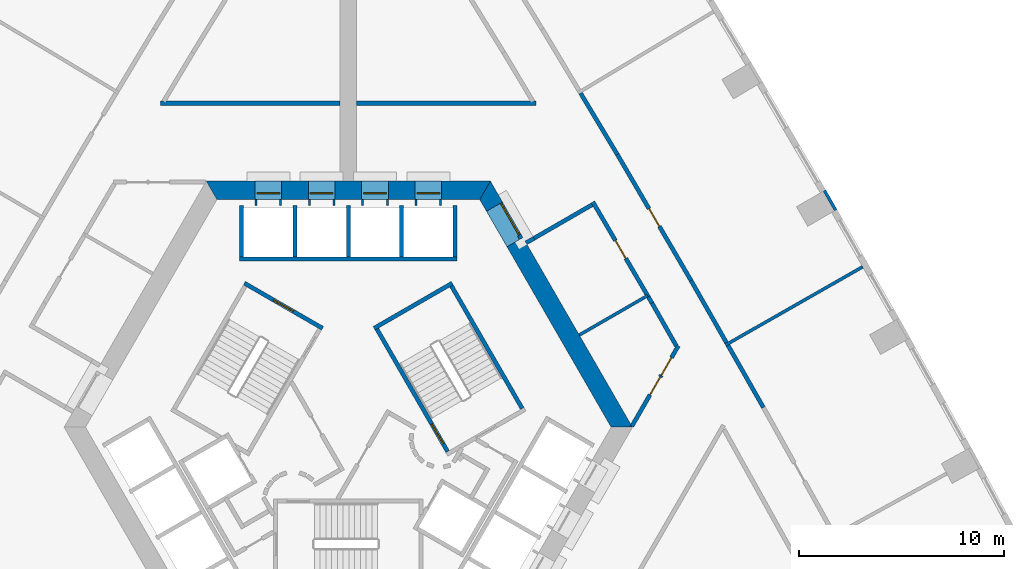
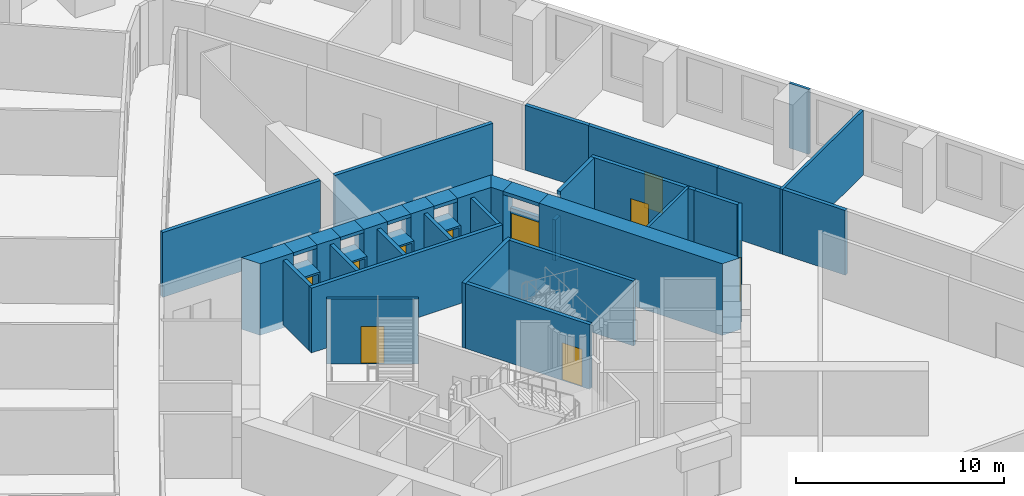
# One storey, part 9 of 14: 42 walls, 11 doors, 11 openings.
"""IFC4 building model written with IfcOpenShell, lengths in metres."""

from ifc_helpers import new_model, si_unit, direction, frame, frame_2d, origin, place, context, subcontext, project, spatial, polyline, rectangle, outline, extrude, material, layer, layer_set, type_object, element, fill, save


model = new_model("IFC4")

# Units and contexts
model_context = context("Model", 3, precision=1e-05, world=origin(), true_north=direction((0.0, 1.0)))
body_context = subcontext(model_context, "Body", "Model", "MODEL_VIEW")
ifc_project = project(units=[si_unit("LENGTHUNIT", "METRE"), si_unit("AREAUNIT", "SQUARE_METRE"), si_unit("VOLUMEUNIT", "CUBIC_METRE"), si_unit("PLANEANGLEUNIT", "RADIAN"), si_unit("MASSUNIT", "GRAM", prefix="KILO")], contexts=[model_context])

# Site, building, storey
site_placement = place(None, origin())
site = spatial("IfcSite", under=ifc_project, at=site_placement, CompositionType="ELEMENT")
building_placement = place(site_placement, origin())
building = spatial("IfcBuilding", under=site, at=building_placement, Name="Entoto Arch Interchange Tower", CompositionType="ELEMENT")
storey_placement = place(building_placement, frame((0.0, 0.0, 116.0)))
storey = spatial("IfcBuildingStorey", under=building, at=storey_placement, Name="L25", CompositionType="ELEMENT", Elevation=116.0)

# Wall, opening, door
ifc_material_1 = material(Name="Reinforced concrete C40/50", Category="concrete")
ifc_layer_1 = layer(ifc_material_1, 0.199951171875)
ifc_layer_set_1 = layer_set([ifc_layer_1], Name="Reinforced concrete C40/50")
wall_type_1 = type_object("IfcWallType", Name="CORE GAP INFILL WALL", PredefinedType="PARTITIONING", material=ifc_layer_set_1)
wall_1_placement = place(storey_placement, frame((8.429931640625, 11.697998046875, 0.0), z_axis=(0.0, 0.0, 1.0), x_axis=(-0.50002537861, 0.866010750942, 0.0)))
wall_1 = element("IfcWall", 1, at=wall_1_placement, inside=storey, type_object=wall_type_1, Name="wall:L25:gap2", PredefinedType="PARTITIONING", context=body_context, shape_type="SweptSolid", body=[
    extrude(rectangle(XDim=2.0, YDim=0.199951171875, at=frame_2d((1.0, 0.0))), origin(), (0.0, 0.0, 1.0), 2.39990234375),
])
opening_1_placement = place(wall_1_placement, frame((0.18994140625, 0.0, 0.0)))
opening_1 = element("IfcOpeningElement", 2, at=opening_1_placement, cuts=wall_1, Name="Opening L25-D92", PredefinedType="OPENING", context=body_context, shape_type="SweptSolid", body=[
    extrude(rectangle(XDim=1.800048828125, YDim=2.10009765625, at=frame_2d((0.89990234375, 1.050048828125))), frame((0.0, 0.10986328125, 0.0), z_axis=(0.0, -1.0, 0.0), x_axis=(1.0, 0.0, 0.0)), (0.0, 0.0, 1.0), 0.219970703125),
])
ifc_material_2 = material(Name="Fire-rated Steel S235 door and frame", Category="steel")
door_type_1 = type_object("IfcDoorType", Name="DOOR FD-18 1800x2100", OperationType="DOUBLE_DOOR_SINGLE_SWING", PredefinedType="DOOR", material=ifc_material_2)
door_1_placement = place(opening_1_placement, origin())
door_1 = element("IfcDoor", 3, at=door_1_placement, inside=storey, type_object=door_type_1, Name="door:L25:gap2", OperationType="DOUBLE_DOOR_SINGLE_SWING", OverallHeight=2.10009765625, OverallWidth=1.800048828125, PredefinedType="DOOR", context=body_context, shape_type="SweptSolid", body=[
    extrude(rectangle(XDim=1.800048828125, YDim=2.10009765625, at=frame_2d((0.89990234375, 1.050048828125))), frame((0.0, 0.02490234375, 0.0), z_axis=(0.0, -1.0, 0.0), x_axis=(1.0, 0.0, 0.0)), (0.0, 0.0, 1.0), 0.050048828125),
])
fill(opening_1, door_1)

# Walls
ifc_material_3 = material(Name="Concrete C60/75", Category="concrete")
ifc_layer_2 = layer(ifc_material_3, 0.89990234375)
ifc_layer_set_2 = layer_set([ifc_layer_2], Name="Concrete C60/75")
wall_type_2 = type_object("IfcWallType", Name="Core wall 900 C60/75", PredefinedType="SHEAR", material=ifc_layer_set_2)
wall_2_placement = place(storey_placement, frame((0.0, 0.0, -0.39990234375)))
element("IfcWall", 4, at=wall_2_placement, inside=storey, type_object=wall_type_2, Name="Core wall NE L25", PredefinedType="SHEAR", context=body_context, shape_type="SweptSolid", body=[
    extrude(outline(polyline([(8.51708984375, 11.748046875), (7.738037109375, 11.298095703125), (12.81689453125, 2.5), (13.85595703125, 2.5), (8.51708984375, 11.748046875)])), origin(), (0.0, 0.0, 1.0), 4.199951171875),
])
wall_3_placement = place(storey_placement, frame((0.0, 0.0, -0.39990234375)))
element("IfcWall", 5, at=wall_3_placement, inside=storey, type_object=wall_type_2, Name="Core wall NE L25", PredefinedType="SHEAR", context=body_context, shape_type="SweptSolid", body=[
    extrude(outline(polyline([(6.738037109375, 13.030029296875), (7.51708984375, 13.47998046875), (6.927978515625, 14.5), (6.408935546875, 13.60009765625), (6.738037109375, 13.030029296875)])), origin(), (0.0, 0.0, 1.0), 4.199951171875),
])
wall_4_placement = place(storey_placement, frame((0.0, 0.0, 3.60009765625)))
element("IfcWall", 6, at=wall_4_placement, inside=storey, type_object=wall_type_2, Name="Core wall lintel NE L25", PredefinedType="SHEAR", context=body_context, shape_type="SweptSolid", body=[
    extrude(outline(polyline([(7.51708984375, 13.47998046875), (6.738037109375, 13.030029296875), (7.738037109375, 11.298095703125), (8.51708984375, 11.748046875), (7.51708984375, 13.47998046875)])), origin(), (0.0, 0.0, 1.0), 0.199951171875),
])
wall_5_placement = place(storey_placement, frame((0.0, 0.0, -0.39990234375)))
element("IfcWall", 7, at=wall_5_placement, inside=storey, type_object=wall_type_2, Name="Core wall N L25", PredefinedType="SHEAR", context=body_context, shape_type="SweptSolid", body=[
    extrude(outline(polyline([(4.550048828125, 14.5), (4.550048828125, 13.60009765625), (6.408935546875, 13.60009765625), (6.927978515625, 14.5), (4.550048828125, 14.5)])), origin(), (0.0, 0.0, 1.0), 4.199951171875),
])
wall_6_placement = place(storey_placement, frame((0.0, 0.0, -0.39990234375)))
element("IfcWall", 8, at=wall_6_placement, inside=storey, type_object=wall_type_2, Name="Core wall N L25", PredefinedType="SHEAR", context=body_context, shape_type="SweptSolid", body=[
    extrude(outline(polyline([(1.949951171875, 14.5), (1.949951171875, 13.60009765625), (3.25, 13.60009765625), (3.25, 14.5), (1.949951171875, 14.5)])), origin(), (0.0, 0.0, 1.0), 4.199951171875),
])
wall_7_placement = place(storey_placement, frame((0.0, 0.0, -0.39990234375)))
element("IfcWall", 9, at=wall_7_placement, inside=storey, type_object=wall_type_2, Name="Core wall N L25", PredefinedType="SHEAR", context=body_context, shape_type="SweptSolid", body=[
    extrude(outline(polyline([(-0.64990234375, 14.5), (-0.64990234375, 13.60009765625), (0.64990234375, 13.60009765625), (0.64990234375, 14.5), (-0.64990234375, 14.5)])), origin(), (0.0, 0.0, 1.0), 4.199951171875),
])
wall_8_placement = place(storey_placement, frame((0.0, 0.0, -0.39990234375)))
element("IfcWall", 10, at=wall_8_placement, inside=storey, type_object=wall_type_2, Name="Core wall N L25", PredefinedType="SHEAR", context=body_context, shape_type="SweptSolid", body=[
    extrude(outline(polyline([(-3.25, 14.5), (-3.25, 13.60009765625), (-1.949951171875, 13.60009765625), (-1.949951171875, 14.5), (-3.25, 14.5)])), origin(), (0.0, 0.0, 1.0), 4.199951171875),
])
wall_9_placement = place(storey_placement, frame((0.0, 0.0, -0.39990234375)))
element("IfcWall", 11, at=wall_9_placement, inside=storey, type_object=wall_type_2, Name="Core wall N L25", PredefinedType="SHEAR", context=body_context, shape_type="SweptSolid", body=[
    extrude(outline(polyline([(-4.550048828125, 13.60009765625), (-4.550048828125, 14.5), (-6.927978515625, 14.5), (-6.408935546875, 13.60009765625), (-4.550048828125, 13.60009765625)])), origin(), (0.0, 0.0, 1.0), 4.199951171875),
])
wall_10_placement = place(storey_placement, frame((0.0, 0.0, 3.60009765625)))
element("IfcWall", 12, at=wall_10_placement, inside=storey, type_object=wall_type_2, Name="Core wall lintel N L25", PredefinedType="SHEAR", context=body_context, shape_type="SweptSolid", body=[
    extrude(outline(polyline([(3.25, 14.5), (3.25, 13.60009765625), (4.550048828125, 13.60009765625), (4.550048828125, 14.5), (3.25, 14.5)])), origin(), (0.0, 0.0, 1.0), 0.199951171875),
])
wall_11_placement = place(storey_placement, frame((0.0, 0.0, 3.60009765625)))
element("IfcWall", 13, at=wall_11_placement, inside=storey, type_object=wall_type_2, Name="Core wall lintel N L25", PredefinedType="SHEAR", context=body_context, shape_type="SweptSolid", body=[
    extrude(outline(polyline([(0.64990234375, 14.5), (0.64990234375, 13.60009765625), (1.949951171875, 13.60009765625), (1.949951171875, 14.5), (0.64990234375, 14.5)])), origin(), (0.0, 0.0, 1.0), 0.199951171875),
])
wall_12_placement = place(storey_placement, frame((0.0, 0.0, 3.60009765625)))
element("IfcWall", 14, at=wall_12_placement, inside=storey, type_object=wall_type_2, Name="Core wall lintel N L25", PredefinedType="SHEAR", context=body_context, shape_type="SweptSolid", body=[
    extrude(outline(polyline([(-1.949951171875, 14.5), (-1.949951171875, 13.60009765625), (-0.64990234375, 13.60009765625), (-0.64990234375, 14.5), (-1.949951171875, 14.5)])), origin(), (0.0, 0.0, 1.0), 0.199951171875),
])
wall_13_placement = place(storey_placement, frame((0.0, 0.0, 3.60009765625)))
element("IfcWall", 15, at=wall_13_placement, inside=storey, type_object=wall_type_2, Name="Core wall lintel N L25", PredefinedType="SHEAR", context=body_context, shape_type="SweptSolid", body=[
    extrude(outline(polyline([(-4.550048828125, 14.5), (-4.550048828125, 13.60009765625), (-3.25, 13.60009765625), (-3.25, 14.5), (-4.550048828125, 14.5)])), origin(), (0.0, 0.0, 1.0), 0.199951171875),
])

# Wall, opening, door
ifc_material_4 = material(Name="Concrete C40/50", Category="concrete")
ifc_layer_3 = layer(ifc_material_4, 1.199951171875)
ifc_layer_set_3 = layer_set([ifc_layer_3], Name="Concrete C40/50")
wall_type_3 = type_object("IfcWallType", Name="LIFT LANDING INFILL WALL", PredefinedType="STANDARD", material=ifc_layer_set_3)
wall_14_placement = place(storey_placement, frame((4.550048828125, 13.89990234375, 0.0), z_axis=(0.0, 0.0, 1.0), x_axis=(-1.0, 0.0, 0.0)))
wall_14 = element("IfcWall", 16, at=wall_14_placement, inside=storey, type_object=wall_type_3, Name="Lift landing infill wall LR1 L25", PredefinedType="STANDARD", context=body_context, shape_type="SweptSolid", body=[
    extrude(rectangle(XDim=1.300048828125, YDim=1.199951171875, at=frame_2d((0.64990234375, 0.0))), origin(), (0.0, 0.0, 1.0), 2.39990234375),
])
opening_2_placement = place(wall_14_placement, frame((0.10009765625, 0.0, 0.0)))
opening_2 = element("IfcOpeningElement", 17, at=opening_2_placement, cuts=wall_14, Name="Opening LD-LR1-L25", PredefinedType="OPENING", context=body_context, shape_type="SweptSolid", body=[
    extrude(rectangle(XDim=1.10009765625, YDim=2.300048828125, at=frame_2d((0.550048828125, 1.14990234375))), frame((0.0, 0.60986328125, 0.0), z_axis=(0.0, -1.0, 0.0), x_axis=(1.0, 0.0, 0.0)), (0.0, 0.0, 1.0), 1.219970703125),
])
ifc_material_5 = material(Name="Stainless steel 1.4301 panels", Category="steel")
door_type_2 = type_object("IfcDoorType", Name="LIFT LANDING DOOR LD2 1100x2300", OperationType="SLIDING_TO_LEFT", PredefinedType="DOOR", material=ifc_material_5)
door_2_placement = place(opening_2_placement, origin())
door_2 = element("IfcDoor", 18, at=door_2_placement, inside=storey, type_object=door_type_2, Name="Lift landing door LR1 L25", OperationType="SLIDING_TO_LEFT", OverallHeight=2.300048828125, OverallWidth=1.10009765625, PredefinedType="DOOR", context=body_context, shape_type="SweptSolid", body=[
    extrude(rectangle(XDim=1.10009765625, YDim=2.300048828125, at=frame_2d((0.550048828125, 1.14990234375))), frame((0.0, 0.02490234375, 0.0), z_axis=(0.0, -1.0, 0.0), x_axis=(1.0, 0.0, 0.0)), (0.0, 0.0, 1.0), 0.050048828125),
])
fill(opening_2, door_2)

wall_15_placement = place(storey_placement, frame((1.949951171875, 13.89990234375, 0.0), z_axis=(0.0, 0.0, 1.0), x_axis=(-1.0, 0.0, 0.0)))
wall_15 = element("IfcWall", 19, at=wall_15_placement, inside=storey, type_object=wall_type_3, Name="Lift landing infill wall LR2 L25", PredefinedType="STANDARD", context=body_context, shape_type="SweptSolid", body=[
    extrude(rectangle(XDim=1.300048828125, YDim=1.199951171875, at=frame_2d((0.64990234375, 0.0))), origin(), (0.0, 0.0, 1.0), 2.39990234375),
])
opening_3_placement = place(wall_15_placement, frame((0.10009765625, 0.0, 0.0)))
opening_3 = element("IfcOpeningElement", 20, at=opening_3_placement, cuts=wall_15, Name="Opening LD-LR2-L25", PredefinedType="OPENING", context=body_context, shape_type="SweptSolid", body=[
    extrude(rectangle(XDim=1.10009765625, YDim=2.300048828125, at=frame_2d((0.550048828125, 1.14990234375))), frame((0.0, 0.60986328125, 0.0), z_axis=(0.0, -1.0, 0.0), x_axis=(1.0, 0.0, 0.0)), (0.0, 0.0, 1.0), 1.219970703125),
])
door_3_placement = place(opening_3_placement, origin())
door_3 = element("IfcDoor", 21, at=door_3_placement, inside=storey, type_object=door_type_2, Name="Lift landing door LR2 L25", OperationType="SLIDING_TO_LEFT", OverallHeight=2.300048828125, OverallWidth=1.10009765625, PredefinedType="DOOR", context=body_context, shape_type="SweptSolid", body=[
    extrude(rectangle(XDim=1.10009765625, YDim=2.300048828125, at=frame_2d((0.550048828125, 1.14990234375))), frame((0.0, 0.02490234375, 0.0), z_axis=(0.0, -1.0, 0.0), x_axis=(1.0, 0.0, 0.0)), (0.0, 0.0, 1.0), 0.050048828125),
])
fill(opening_3, door_3)

wall_16_placement = place(storey_placement, frame((-0.64990234375, 13.89990234375, 0.0), z_axis=(0.0, 0.0, 1.0), x_axis=(-1.0, 0.0, 0.0)))
wall_16 = element("IfcWall", 22, at=wall_16_placement, inside=storey, type_object=wall_type_3, Name="Lift landing infill wall LR3 L25", PredefinedType="STANDARD", context=body_context, shape_type="SweptSolid", body=[
    extrude(rectangle(XDim=1.300048828125, YDim=1.199951171875, at=frame_2d((0.64990234375, 0.0))), origin(), (0.0, 0.0, 1.0), 2.39990234375),
])
opening_4_placement = place(wall_16_placement, frame((0.10009765625, 0.0, 0.0)))
opening_4 = element("IfcOpeningElement", 23, at=opening_4_placement, cuts=wall_16, Name="Opening LD-LR3-L25", PredefinedType="OPENING", context=body_context, shape_type="SweptSolid", body=[
    extrude(rectangle(XDim=1.10009765625, YDim=2.300048828125, at=frame_2d((0.550048828125, 1.14990234375))), frame((0.0, 0.60986328125, 0.0), z_axis=(0.0, -1.0, 0.0), x_axis=(1.0, 0.0, 0.0)), (0.0, 0.0, 1.0), 1.219970703125),
])
door_4_placement = place(opening_4_placement, origin())
door_4 = element("IfcDoor", 24, at=door_4_placement, inside=storey, type_object=door_type_2, Name="Lift landing door LR3 L25", OperationType="SLIDING_TO_LEFT", OverallHeight=2.300048828125, OverallWidth=1.10009765625, PredefinedType="DOOR", context=body_context, shape_type="SweptSolid", body=[
    extrude(rectangle(XDim=1.10009765625, YDim=2.300048828125, at=frame_2d((0.550048828125, 1.14990234375))), frame((0.0, 0.02490234375, 0.0), z_axis=(0.0, -1.0, 0.0), x_axis=(1.0, 0.0, 0.0)), (0.0, 0.0, 1.0), 0.050048828125),
])
fill(opening_4, door_4)

wall_17_placement = place(storey_placement, frame((-3.25, 13.89990234375, 0.0), z_axis=(0.0, 0.0, 1.0), x_axis=(-1.0, 0.0, 0.0)))
wall_17 = element("IfcWall", 25, at=wall_17_placement, inside=storey, type_object=wall_type_3, Name="Lift landing infill wall LR4 L25", PredefinedType="STANDARD", context=body_context, shape_type="SweptSolid", body=[
    extrude(rectangle(XDim=1.300048828125, YDim=1.199951171875, at=frame_2d((0.64990234375, 0.0))), origin(), (0.0, 0.0, 1.0), 2.39990234375),
])
opening_5_placement = place(wall_17_placement, frame((0.10009765625, 0.0, 0.0)))
opening_5 = element("IfcOpeningElement", 26, at=opening_5_placement, cuts=wall_17, Name="Opening LD-LR4-L25", PredefinedType="OPENING", context=body_context, shape_type="SweptSolid", body=[
    extrude(rectangle(XDim=1.10009765625, YDim=2.300048828125, at=frame_2d((0.550048828125, 1.14990234375))), frame((0.0, 0.60986328125, 0.0), z_axis=(0.0, -1.0, 0.0), x_axis=(1.0, 0.0, 0.0)), (0.0, 0.0, 1.0), 1.219970703125),
])
door_5_placement = place(opening_5_placement, origin())
door_5 = element("IfcDoor", 27, at=door_5_placement, inside=storey, type_object=door_type_2, Name="Lift landing door LR4 L25", OperationType="SLIDING_TO_LEFT", OverallHeight=2.300048828125, OverallWidth=1.10009765625, PredefinedType="DOOR", context=body_context, shape_type="SweptSolid", body=[
    extrude(rectangle(XDim=1.10009765625, YDim=2.300048828125, at=frame_2d((0.550048828125, 1.14990234375))), frame((0.0, 0.02490234375, 0.0), z_axis=(0.0, -1.0, 0.0), x_axis=(1.0, 0.0, 0.0)), (0.0, 0.0, 1.0), 0.050048828125),
])
fill(opening_5, door_5)

# Walls
ifc_layer_4 = layer(ifc_material_4, 0.199951171875)
ifc_layer_set_4 = layer_set([ifc_layer_4], Name="Concrete C40/50")
wall_type_4 = type_object("IfcWallType", Name="LIFT SHAFT WALL 200", PredefinedType="STANDARD", material=ifc_layer_set_4)
wall_18_placement = place(storey_placement, frame((5.300048828125, 10.699951171875, 0.0), z_axis=(0.0, 0.0, 1.0), x_axis=(-1.0, 0.0, 0.0)))
element("IfcWall", 28, at=wall_18_placement, inside=storey, type_object=wall_type_4, Name="Shaft wall N3 front", PredefinedType="STANDARD", context=body_context, shape_type="SweptSolid", body=[
    extrude(rectangle(XDim=10.60009765625, YDim=0.199951171875, at=frame_2d((5.300048828125, 0.0))), origin(), (0.0, 0.0, 1.0), 3.800048828125),
])
for number, where, z_axis, x_axis, name in (
    (29, (5.199951171875, 10.800048828125, 0.0), (0.0, 0.0, 1.0), (0.0, 1.0, 0.0), "Shaft wall N3 cross 1"),
    (30, (2.60009765625, 10.800048828125, 0.0), (0.0, 0.0, 1.0), (0.0, 1.0, 0.0), "Shaft wall N3 cross 2"),
    (31, (0.0, 10.800048828125, 0.0), (0.0, 0.0, 1.0), (0.0, 1.0, 0.0), "Shaft wall N3 cross 3"),
    (32, (-2.60009765625, 10.800048828125, 0.0), (0.0, 0.0, 1.0), (0.0, 1.0, 0.0), "Shaft wall N3 cross 4"),
    (33, (-5.199951171875, 10.800048828125, 0.0), (0.0, 0.0, 1.0), (0.0, 1.0, 0.0), "Shaft wall N3 cross 5"),
):
    element("IfcWall", number, at=place(storey_placement, frame(where, z_axis=z_axis, x_axis=x_axis)), inside=storey, type_object=wall_type_4, Name=name, PredefinedType="STANDARD", context=body_context, shape_type="SweptSolid", body=[
        extrude(rectangle(XDim=2.5, YDim=0.199951171875, at=frame_2d((1.25, 0.0))), origin(), (0.0, 0.0, 1.0), 3.800048828125),
    ])
ifc_material_6 = material(Name="Gypsum board partition on steel studs", Category="steel")
ifc_layer_5 = layer(ifc_material_6, 0.14990234375)
ifc_layer_set_5 = layer_set([ifc_layer_5], Name="Gypsum board partition on steel studs")
wall_type_5 = type_object("IfcWallType", Name="PARTITION 150", PredefinedType="PARTITIONING", material=ifc_layer_set_5)
wall_19_placement = place(storey_placement, frame((11.260986328125, 6.993896484375, 0.0), z_axis=(0.0, 0.0, 1.0), x_axis=(0.86605248387, 0.499953092981, 0.0)))
element("IfcWall", 34, at=wall_19_placement, inside=storey, type_object=wall_type_5, Name="wall:L25:p091", PredefinedType="PARTITIONING", context=body_context, shape_type="SweptSolid", body=[
    extrude(rectangle(XDim=3.848388671875, YDim=0.14990234375, at=frame_2d((1.92431640625, 0.0))), origin(), (0.0, 0.0, 1.0), 3.800048828125),
])
wall_20_placement = place(storey_placement, frame((18.39111328125, 6.506103515625, 0.0), z_axis=(0.0, 0.0, 1.0), x_axis=(0.868738258528, 0.495271479261, 0.0)))
element("IfcWall", 35, at=wall_20_placement, inside=storey, type_object=wall_type_5, Name="wall:L25:p122", PredefinedType="PARTITIONING", context=body_context, shape_type="SweptSolid", body=[
    extrude(rectangle(XDim=7.70068359375, YDim=0.14990234375, at=frame_2d((3.850341796875, 0.0))), origin(), (0.0, 0.0, 1.0), 3.800048828125),
])
ifc_layer_6 = layer(ifc_material_6, 0.199951171875)
ifc_layer_set_6 = layer_set([ifc_layer_6], Name="Gypsum board partition on steel studs")
wall_type_6 = type_object("IfcWallType", Name="PARTITION 200", PredefinedType="PARTITIONING", material=ifc_layer_set_6)
wall_21_placement = place(storey_placement, frame((15.992919921875, 6.472900390625, 0.0), z_axis=(0.0, 0.0, 1.0), x_axis=(-0.495159881733, 0.86880187127, 0.0)))
element("IfcWall", 36, at=wall_21_placement, inside=storey, type_object=wall_type_6, Name="wall:L25:p005", PredefinedType="PARTITIONING", context=body_context, shape_type="SweptSolid", body=[
    extrude(rectangle(XDim=2.390869140625, YDim=0.199951171875, at=frame_2d((1.1953125, 0.0))), origin(), (0.0, 0.0, 1.0), 3.800048828125),
])
wall_22_placement = place(storey_placement, frame((14.80908203125, 8.550048828125, 0.0), z_axis=(0.0, 0.0, 1.0), x_axis=(-0.50443330283, 0.86345066043, 0.0)))
element("IfcWall", 37, at=wall_22_placement, inside=storey, type_object=wall_type_6, Name="wall:L25:p006", PredefinedType="PARTITIONING", context=body_context, shape_type="SweptSolid", body=[
    extrude(rectangle(XDim=0.350830078125, YDim=0.199951171875, at=frame_2d((0.17529296875, 0.0))), origin(), (0.0, 0.0, 1.0), 3.800048828125),
])

# Wall, opening, door
wall_23_placement = place(storey_placement, frame((14.632080078125, 8.85302734375, 0.0), z_axis=(0.0, 0.0, 1.0), x_axis=(-0.504798859257, 0.863236996249, 0.0)))
wall_23 = element("IfcWall", 38, at=wall_23_placement, inside=storey, type_object=wall_type_6, Name="wall:L25:p007", PredefinedType="PARTITIONING", context=body_context, shape_type="SweptSolid", body=[
    extrude(rectangle(XDim=5.364501953125, YDim=0.199951171875, at=frame_2d((2.68212890625, 0.0))), origin(), (0.0, 0.0, 1.0), 3.800048828125),
])
opening_6_placement = place(wall_23_placement, frame((2.181884765625, 0.0, 0.0)))
opening_6 = element("IfcOpeningElement", 39, at=opening_6_placement, cuts=wall_23, Name="Opening L25-D27", PredefinedType="OPENING", context=body_context, shape_type="SweptSolid", body=[
    extrude(rectangle(XDim=1.0, YDim=2.10009765625, at=frame_2d((0.5, 1.050048828125))), frame((0.0, 0.10986328125, 0.0), z_axis=(0.0, -1.0, 0.0), x_axis=(1.0, 0.0, 0.0)), (0.0, 0.0, 1.0), 0.219970703125),
])
ifc_material_7 = material(Name="Timber door leaf in Steel S235 frame", Category="steel")
door_type_3 = type_object("IfcDoorType", Name="DOOR DS-10 1000x2100", OperationType="SINGLE_SWING_LEFT", PredefinedType="DOOR", material=ifc_material_7)
door_6_placement = place(opening_6_placement, origin())
door_6 = element("IfcDoor", 40, at=door_6_placement, inside=storey, type_object=door_type_3, Name="door:L25:27", OperationType="SINGLE_SWING_LEFT", OverallHeight=2.10009765625, OverallWidth=1.0, PredefinedType="DOOR", context=body_context, shape_type="SweptSolid", body=[
    extrude(rectangle(XDim=1.0, YDim=2.10009765625, at=frame_2d((0.5, 1.050048828125))), frame((0.0, 0.02490234375, 0.0), z_axis=(0.0, -1.0, 0.0), x_axis=(1.0, 0.0, 0.0)), (0.0, 0.0, 1.0), 0.050048828125),
])
fill(opening_6, door_6)

# Walls
wall_24_placement = place(storey_placement, frame((11.887939453125, 13.347900390625, 0.0), z_axis=(0.0, 0.0, 1.0), x_axis=(-0.865959227195, -0.500114603702, 0.0)))
element("IfcWall", 41, at=wall_24_placement, inside=storey, type_object=wall_type_6, Name="wall:L25:p008", PredefinedType="PARTITIONING", context=body_context, shape_type="SweptSolid", body=[
    extrude(rectangle(XDim=3.269287109375, YDim=0.199951171875, at=frame_2d((1.634765625, 0.0))), origin(), (0.0, 0.0, 1.0), 3.800048828125),
])
wall_25_placement = place(storey_placement, frame((18.514892578125, 6.490966796875, 0.0), z_axis=(0.0, 0.0, 1.0), x_axis=(0.495309264725, -0.868716715781, 0.0)))
element("IfcWall", 42, at=wall_25_placement, inside=storey, type_object=wall_type_6, Name="wall:L25:p045", PredefinedType="PARTITIONING", context=body_context, shape_type="SweptSolid", body=[
    extrude(rectangle(XDim=3.48681640625, YDim=0.199951171875, at=frame_2d((1.743408203125, 0.0))), origin(), (0.0, 0.0, 1.0), 3.800048828125),
])
wall_26_placement = place(storey_placement, frame((11.325927734375, 18.7900390625, 0.0), z_axis=(0.0, 0.0, 1.0), x_axis=(0.514155958966, -0.857696712049, 0.0)))
element("IfcWall", 43, at=wall_26_placement, inside=storey, type_object=wall_type_6, Name="wall:L25:p047", PredefinedType="PARTITIONING", context=body_context, shape_type="SweptSolid", body=[
    extrude(rectangle(XDim=3.4873046875, YDim=0.199951171875, at=frame_2d((1.74365234375, 0.0))), origin(), (0.0, 0.0, 1.0), 3.800048828125),
])

# Wall, opening, door
wall_27_placement = place(storey_placement, frame((13.118896484375, 15.799072265625, 0.0), z_axis=(0.0, 0.0, 1.0), x_axis=(0.504729598075, -0.863277494684, 0.0)))
wall_27 = element("IfcWall", 44, at=wall_27_placement, inside=storey, type_object=wall_type_6, Name="wall:L25:p048", PredefinedType="PARTITIONING", context=body_context, shape_type="SweptSolid", body=[
    extrude(rectangle(XDim=7.123046875, YDim=0.199951171875, at=frame_2d((3.5615234375, 0.0))), origin(), (0.0, 0.0, 1.0), 3.800048828125),
])
opening_7_placement = place(wall_27_placement, frame((3.06103515625, 0.0, 0.0)))
opening_7 = element("IfcOpeningElement", 45, at=opening_7_placement, cuts=wall_27, Name="Opening L25-D05", PredefinedType="OPENING", context=body_context, shape_type="SweptSolid", body=[
    extrude(rectangle(XDim=1.0, YDim=2.10009765625, at=frame_2d((0.5, 1.050048828125))), frame((0.0, 0.10986328125, 0.0), z_axis=(0.0, -1.0, 0.0), x_axis=(1.0, 0.0, 0.0)), (0.0, 0.0, 1.0), 0.219970703125),
])
door_7_placement = place(opening_7_placement, origin())
door_7 = element("IfcDoor", 46, at=door_7_placement, inside=storey, type_object=door_type_3, Name="door:L25:05", OperationType="SINGLE_SWING_RIGHT", OverallHeight=2.10009765625, OverallWidth=1.0, PredefinedType="DOOR", context=body_context, shape_type="SweptSolid", body=[
    extrude(rectangle(XDim=1.0, YDim=2.10009765625, at=frame_2d((0.5, 1.050048828125))), frame((0.0, 0.02490234375, 0.0), z_axis=(0.0, -1.0, 0.0), x_axis=(1.0, 0.0, 0.0)), (0.0, 0.0, 1.0), 0.050048828125),
])
fill(opening_7, door_7)

# Wall
wall_28_placement = place(storey_placement, frame((16.714111328125, 9.64990234375, 0.0), z_axis=(0.0, 0.0, 1.0), x_axis=(0.495286549488, -0.868729666753, 0.0)))
element("IfcWall", 47, at=wall_28_placement, inside=storey, type_object=wall_type_6, Name="wall:L25:p049", PredefinedType="PARTITIONING", context=body_context, shape_type="SweptSolid", body=[
    extrude(rectangle(XDim=3.486572265625, YDim=0.199951171875, at=frame_2d((1.7431640625, 0.0))), origin(), (0.0, 0.0, 1.0), 3.800048828125),
])

# Wall, openings, doors
wall_29_placement = place(storey_placement, frame((13.826904296875, 2.550048828125, 0.0), z_axis=(0.0, 0.0, 1.0), x_axis=(0.500045913515, 0.865998893981, 0.0)))
wall_29 = element("IfcWall", 48, at=wall_29_placement, inside=storey, type_object=wall_type_6, Name="wall:L25:p092", PredefinedType="PARTITIONING", context=body_context, shape_type="SweptSolid", body=[
    extrude(rectangle(XDim=4.52978515625, YDim=0.199951171875, at=frame_2d((2.264892578125, 0.0))), origin(), (0.0, 0.0, 1.0), 3.800048828125),
])
opening_8_placement = place(wall_29_placement, frame((1.764892578125, 0.0, 0.0)))
opening_8 = element("IfcOpeningElement", 49, at=opening_8_placement, cuts=wall_29, Name="Opening L25-D26", PredefinedType="OPENING", context=body_context, shape_type="SweptSolid", body=[
    extrude(rectangle(XDim=1.0, YDim=2.10009765625, at=frame_2d((0.5, 1.050048828125))), frame((0.0, 0.10986328125, 0.0), z_axis=(0.0, -1.0, 0.0), x_axis=(1.0, 0.0, 0.0)), (0.0, 0.0, 1.0), 0.219970703125),
])
opening_9_placement = place(wall_29_placement, frame((2.864990234375, 0.0, 0.0)))
opening_9 = element("IfcOpeningElement", 50, at=opening_9_placement, cuts=wall_29, Name="Opening L25-D33", PredefinedType="OPENING", context=body_context, shape_type="SweptSolid", body=[
    extrude(rectangle(XDim=1.0, YDim=2.10009765625, at=frame_2d((0.5, 1.050048828125))), frame((0.0, 0.10986328125, 0.0), z_axis=(0.0, -1.0, 0.0), x_axis=(1.0, 0.0, 0.0)), (0.0, 0.0, 1.0), 0.219970703125),
])
door_8_placement = place(opening_8_placement, origin())
door_8 = element("IfcDoor", 51, at=door_8_placement, inside=storey, type_object=door_type_3, Name="door:L25:26", OperationType="SINGLE_SWING_LEFT", OverallHeight=2.10009765625, OverallWidth=1.0, PredefinedType="DOOR", context=body_context, shape_type="SweptSolid", body=[
    extrude(rectangle(XDim=1.0, YDim=2.10009765625, at=frame_2d((0.5, 1.050048828125))), frame((0.0, 0.02490234375, 0.0), z_axis=(0.0, -1.0, 0.0), x_axis=(1.0, 0.0, 0.0)), (0.0, 0.0, 1.0), 0.050048828125),
])
fill(opening_8, door_8)
door_9_placement = place(opening_9_placement, origin())
door_9 = element("IfcDoor", 52, at=door_9_placement, inside=storey, type_object=door_type_3, Name="door:L25:33", OperationType="SINGLE_SWING_RIGHT", OverallHeight=2.10009765625, OverallWidth=1.0, PredefinedType="DOOR", context=body_context, shape_type="SweptSolid", body=[
    extrude(rectangle(XDim=1.0, YDim=2.10009765625, at=frame_2d((0.5, 1.050048828125))), frame((0.0, 0.02490234375, 0.0), z_axis=(0.0, -1.0, 0.0), x_axis=(1.0, 0.0, 0.0)), (0.0, 0.0, 1.0), 0.050048828125),
])
fill(opening_9, door_9)

# Walls
for number, where, z_axis, x_axis, name in (
    (53, (0.39990234375, 18.300048828125, 0.0), (0.0, 0.0, 1.0), (1.0, 0.0, 0.0), "wall:L25:p114"),
    (54, (-9.155029296875, 18.300048828125, 0.0), (0.0, 0.0, 1.0), (1.0, 0.0, 0.0), "wall:L25:p115"),
):
    element("IfcWall", number, at=place(storey_placement, frame(where, z_axis=z_axis, x_axis=x_axis)), inside=storey, type_object=wall_type_6, Name=name, PredefinedType="PARTITIONING", context=body_context, shape_type="SweptSolid", body=[
        extrude(rectangle(XDim=8.755126953125, YDim=0.199951171875, at=frame_2d((4.37744140625, 0.0))), origin(), (0.0, 0.0, 1.0), 3.800048828125),
    ])
wall_30_placement = place(storey_placement, frame((9.056884765625, 11.712890625, 0.0), z_axis=(0.0, 0.0, 1.0), x_axis=(-0.866266849364, -0.49958157061, 0.0)))
element("IfcWall", 55, at=wall_30_placement, inside=storey, type_object=wall_type_6, Name="wall:L25:p008", PredefinedType="PARTITIONING", context=body_context, shape_type="SweptSolid", body=[
    extrude(rectangle(XDim=0.4501953125, YDim=0.199951171875, at=frame_2d((0.22509765625, 0.0))), origin(), (0.0, 0.0, 1.0), 2.39990234375),
])
ifc_layer_7 = layer(ifc_material_4, 0.199951171875)
ifc_layer_set_7 = layer_set([ifc_layer_7], Name="Concrete C40/50")
wall_type_7 = type_object("IfcWallType", Name="STAIR ENCLOSURE WALL 200", PredefinedType="STANDARD", material=ifc_layer_set_7)
wall_31_placement = place(storey_placement, frame((1.256103515625, 7.323974609375, 0.0), z_axis=(0.0, 0.0, 1.0), x_axis=(0.866046073146, 0.499964197906, 0.0)))
element("IfcWall", 56, at=wall_31_placement, inside=storey, type_object=wall_type_7, Name="Stair wall ST-NE far", PredefinedType="STANDARD", context=body_context, shape_type="SweptSolid", body=[
    extrude(rectangle(XDim=4.400146484375, YDim=0.199951171875, at=frame_2d((2.2001953125, 0.0))), origin(), (0.0, 0.0, 1.0), 3.800048828125),
])

# Wall, opening, door
wall_32_placement = place(storey_placement, frame((4.843017578125, 1.31201171875, 0.0), z_axis=(0.0, 0.0, 1.0), x_axis=(-0.499963383562, 0.866046543262, 0.0)))
wall_32 = element("IfcWall", 57, at=wall_32_placement, inside=storey, type_object=wall_type_7, Name="Stair wall ST-NE hall", PredefinedType="STANDARD", context=body_context, shape_type="SweptSolid", body=[
    extrude(rectangle(XDim=6.900390625, YDim=0.199951171875, at=frame_2d((3.4501953125, 0.0))), origin(), (0.0, 0.0, 1.0), 3.800048828125),
])
opening_10_placement = place(wall_32_placement, frame((0.449951171875, 0.0, 0.0)))
opening_10 = element("IfcOpeningElement", 58, at=opening_10_placement, cuts=wall_32, Name="Opening SD-ST-NE-L25", PredefinedType="OPENING", context=body_context, shape_type="SweptSolid", body=[
    extrude(rectangle(XDim=1.10009765625, YDim=2.199951171875, at=frame_2d((0.550048828125, 1.10009765625))), frame((0.0, 0.10986328125, 0.0), z_axis=(0.0, -1.0, 0.0), x_axis=(1.0, 0.0, 0.0)), (0.0, 0.0, 1.0), 0.219970703125),
])
ifc_material_8 = material(Name="Steel S235", Category="steel")
door_type_4 = type_object("IfcDoorType", Name="STAIR DOOR SD1 1100x2200", OperationType="SINGLE_SWING_LEFT", PredefinedType="DOOR", material=ifc_material_8)
door_10_placement = place(opening_10_placement, origin())
door_10 = element("IfcDoor", 59, at=door_10_placement, inside=storey, type_object=door_type_4, Name="Stair door ST-NE L25", OperationType="SINGLE_SWING_LEFT", OverallHeight=2.199951171875, OverallWidth=1.10009765625, PredefinedType="DOOR", context=body_context, shape_type="SweptSolid", body=[
    extrude(rectangle(XDim=1.10009765625, YDim=2.199951171875, at=frame_2d((0.550048828125, 1.10009765625))), frame((0.0, 0.02490234375, 0.0), z_axis=(0.0, -1.0, 0.0), x_axis=(1.0, 0.0, 0.0)), (0.0, 0.0, 1.0), 0.050048828125),
])
fill(opening_10, door_10)

# Wall
wall_33_placement = place(storey_placement, frame((8.47998046875, 3.412109375, 0.0), z_axis=(0.0, 0.0, 1.0), x_axis=(-0.499978703459, 0.866037698999, 0.0)))
element("IfcWall", 60, at=wall_33_placement, inside=storey, type_object=wall_type_7, Name="Stair wall ST-NE back", PredefinedType="STANDARD", context=body_context, shape_type="SweptSolid", body=[
    extrude(rectangle(XDim=6.900146484375, YDim=0.199951171875, at=frame_2d((3.4501953125, 0.0))), origin(), (0.0, 0.0, 1.0), 3.800048828125),
])

# Wall, opening, door
wall_34_placement = place(storey_placement, frame((-1.256103515625, 7.323974609375, 0.0), z_axis=(0.0, 0.0, 1.0), x_axis=(-0.866046073146, 0.499964197906, 0.0)))
wall_34 = element("IfcWall", 61, at=wall_34_placement, inside=storey, type_object=wall_type_7, Name="Stair wall ST-NW near", PredefinedType="STANDARD", context=body_context, shape_type="SweptSolid", body=[
    extrude(rectangle(XDim=4.400146484375, YDim=0.199951171875, at=frame_2d((2.2001953125, 0.0))), origin(), (0.0, 0.0, 1.0), 3.800048828125),
])
opening_11_placement = place(wall_34_placement, frame((1.64990234375, 0.0, 0.0)))
opening_11 = element("IfcOpeningElement", 62, at=opening_11_placement, cuts=wall_34, Name="Opening SD-ST-NW-L25-E", PredefinedType="OPENING", context=body_context, shape_type="SweptSolid", body=[
    extrude(rectangle(XDim=1.10009765625, YDim=2.199951171875, at=frame_2d((0.550048828125, 1.10009765625))), frame((0.0, 0.10986328125, 0.0), z_axis=(0.0, -1.0, 0.0), x_axis=(1.0, 0.0, 0.0)), (0.0, 0.0, 1.0), 0.219970703125),
])
door_11_placement = place(opening_11_placement, origin())
door_11 = element("IfcDoor", 63, at=door_11_placement, inside=storey, type_object=door_type_4, Name="Stair door ST-NW L25 end", OperationType="SINGLE_SWING_LEFT", OverallHeight=2.199951171875, OverallWidth=1.10009765625, PredefinedType="DOOR", context=body_context, shape_type="SweptSolid", body=[
    extrude(rectangle(XDim=1.10009765625, YDim=2.199951171875, at=frame_2d((0.550048828125, 1.10009765625))), frame((0.0, 0.02490234375, 0.0), z_axis=(0.0, -1.0, 0.0), x_axis=(1.0, 0.0, 0.0)), (0.0, 0.0, 1.0), 0.050048828125),
])
fill(opening_11, door_11)

# Wall
ifc_material_9 = material(Name="Welded tuff (ignimbrite) cladding, warm buff", Category="masonry")
ifc_layer_8 = layer(ifc_material_9, 0.14990234375)
ifc_layer_set_8 = layer_set([ifc_layer_8], Name="Welded tuff (ignimbrite) cladding, warm buff")
wall_type_8 = type_object("IfcWallType", Name="STONE PIER CLADDING 150", PredefinedType="STANDARD", material=ifc_layer_set_8)
wall_35_placement = place(storey_placement, frame((23.76611328125, 13.0859375, 0.0), z_axis=(0.0, 0.0, 1.0), x_axis=(-0.499837685251, 0.86611909597, 0.0)))
element("IfcWall", 64, at=wall_35_placement, inside=storey, type_object=wall_type_8, Name="Stone pier NE05 L25", PredefinedType="STANDARD", context=body_context, shape_type="SweptSolid", body=[
    extrude(rectangle(XDim=1.100341796875, YDim=0.14990234375, at=frame_2d((0.55029296875, 0.0))), origin(), (0.0, 0.0, 1.0), 3.800048828125),
])

save(model, "model.ifc")
